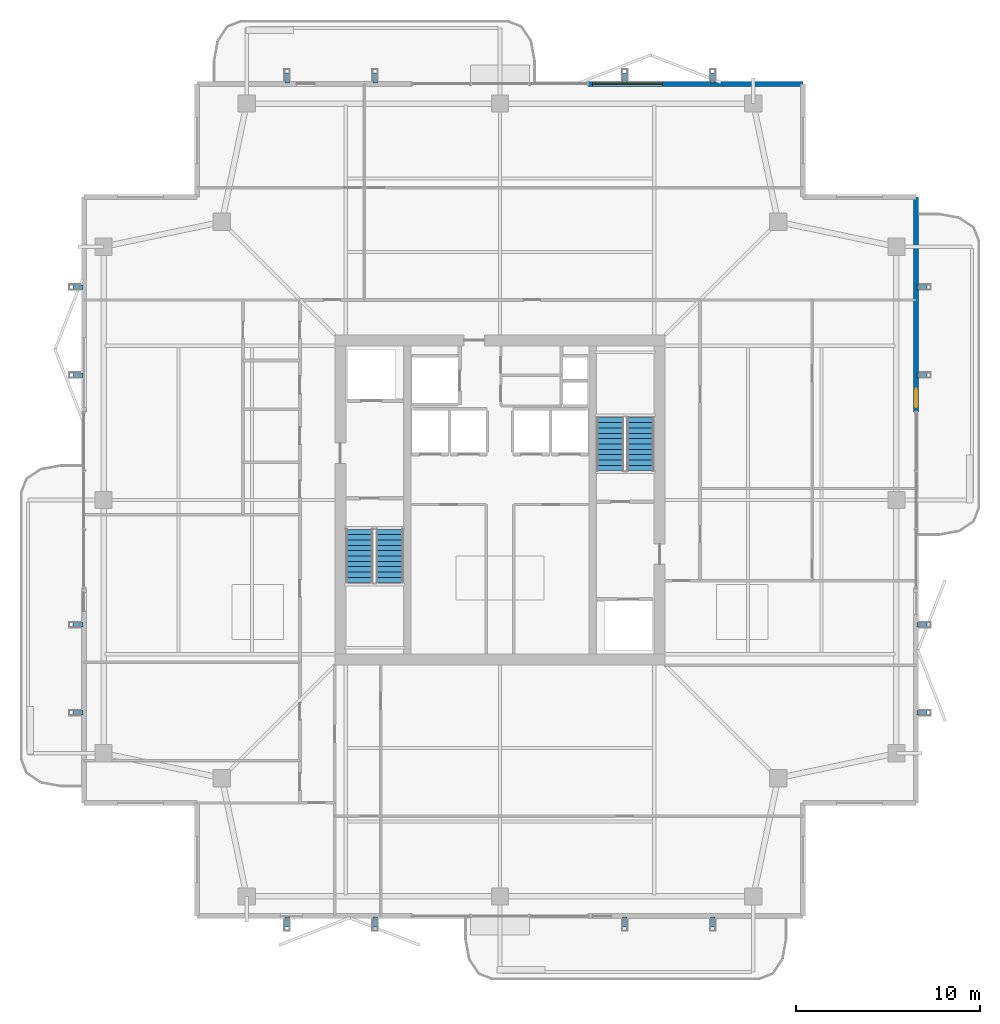
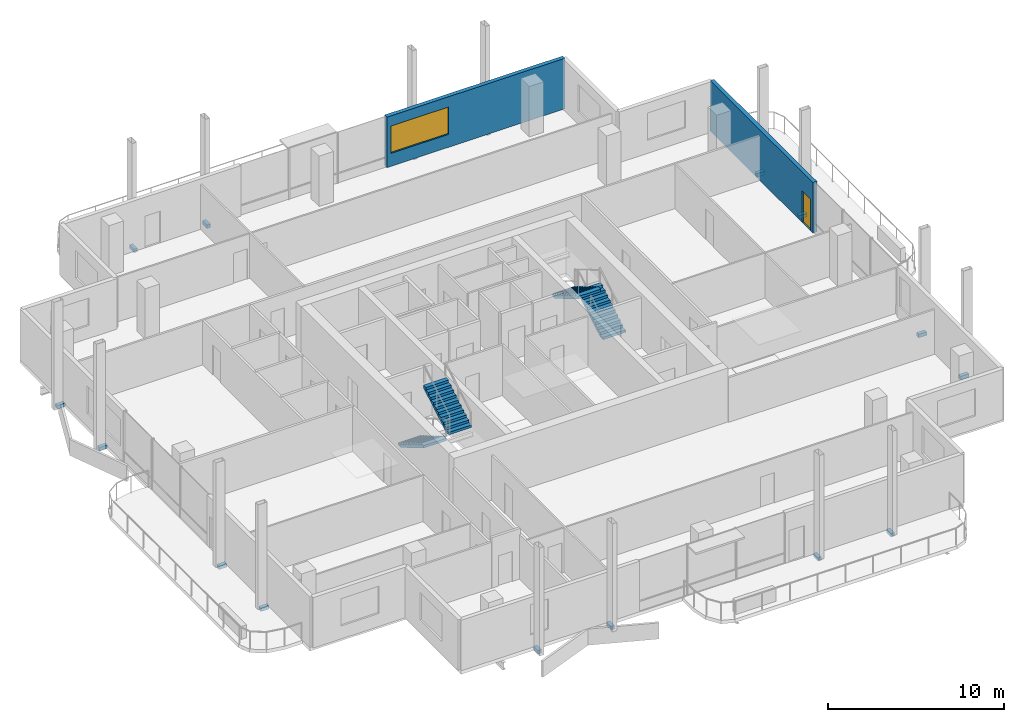
# One storey, part 17 of 20: 16 discrete accessories, 4 stair flights, 2 walls, 1 door, 1 window, 2 openings, 2 elements without a shape of their own.
"""IFC4 building model written with IfcOpenShell, lengths in metres."""

import ifcopenshell
import ifcopenshell.guid

model = None  # the IFC model being written
_history = None  # IfcOwnerHistory: only IFC2X3 demands one
_inside = {}  # id of a spatial element -> (the spatial element, [elements in it])
_under = {}  # id of a project, library or spatial element -> (it, [spatial elements below it])
_declared = {}  # id of a project -> (the project, [libraries it declares])
_typed = {}  # id of a type object -> (the type object, [elements of that type])
_made_of = {}  # id of a material, layer set ... -> (it, [elements and type objects made of it])


def new_model(schema):
    """Start an empty IFC model of exactly this schema.

    Asked for "IFC4X3", IfcOpenShell would pick the latest addendum, in which some entities
    have other attributes; the version numbers below select the first issue.
    IFC2X3 requires an IfcOwnerHistory on every rooted entity: one is made here for all.
    """
    global model, _history
    if schema == "IFC4X3":
        model = ifcopenshell.file(schema_version=(4, 3, 0, 0))
    else:
        model = ifcopenshell.file(schema=schema)
    _inside.clear()
    _under.clear()
    _declared.clear()
    _typed.clear()
    _made_of.clear()
    _history = None
    if model.schema == "IFC2X3":
        org = make("IfcOrganization", Name="unknown")
        user = make(
            "IfcPersonAndOrganization",
            ThePerson=make("IfcPerson", FamilyName="unknown"),
            TheOrganization=org,
        )
        app = make(
            "IfcApplication",
            ApplicationDeveloper=org,
            Version="unknown",
            ApplicationFullName="unknown",
            ApplicationIdentifier="unknown",
        )
        _history = make(
            "IfcOwnerHistory",
            OwningUser=user,
            OwningApplication=app,
            ChangeAction="ADDED",
            CreationDate=0,
        )
    return model


def make(cls, **values):
    """One entity of the class cls with the attributes given. An attribute that is None is left unset."""
    return model.create_entity(
        cls, **{name: value for name, value in values.items() if value is not None}
    )


def rooted(cls, **values):
    """An entity with a GlobalId (a new one), such as an element, a storey or a relation."""
    return make(cls, GlobalId=ifcopenshell.guid.new(), OwnerHistory=_history, **values)


def si_unit(unit_type, name, prefix=None):
    """IfcSIUnit, for example si_unit("LENGTHUNIT", "METRE", prefix="MILLI")."""
    return make("IfcSIUnit", UnitType=unit_type, Prefix=prefix, Name=name)


def assignment(units):
    """IfcUnitAssignment: the units of a project."""
    return None if units is None else make("IfcUnitAssignment", Units=units)


def point(xyz):
    """IfcCartesianPoint."""
    return None if xyz is None else make("IfcCartesianPoint", Coordinates=xyz)


def direction(xyz):
    """IfcDirection."""
    return None if xyz is None else make("IfcDirection", DirectionRatios=xyz)


def frame(location, z_axis=None, x_axis=None):
    """IfcAxis2Placement3D, a coordinate frame: its origin and axes. An axis left out is left unset."""
    return make(
        "IfcAxis2Placement3D",
        Location=point(location),
        Axis=direction(z_axis),
        RefDirection=direction(x_axis),
    )


def frame_2d(location, x_axis=None):
    """IfcAxis2Placement2D, a coordinate frame in the plane: its origin and x axis."""
    return make(
        "IfcAxis2Placement2D", Location=point(location), RefDirection=direction(x_axis)
    )


def origin():
    """The frame at (0, 0, 0) with its axes left unset."""
    return frame((0.0, 0.0, 0.0))


def origin_2d():
    """The frame at (0, 0) in the plane with its x axis left unset."""
    return frame_2d((0.0, 0.0))


def place(relative_to, where):
    """IfcLocalPlacement: puts the frame where relative to a parent placement (None: the world)."""
    return make(
        "IfcLocalPlacement", PlacementRelTo=relative_to, RelativePlacement=where
    )


def context(
    kind, dimensions, precision=None, world=None, true_north=None, identifier=None
):
    """IfcGeometricRepresentationContext, for example the 3D "Model" context."""
    return make(
        "IfcGeometricRepresentationContext",
        ContextIdentifier=identifier,
        ContextType=kind,
        CoordinateSpaceDimension=dimensions,
        Precision=precision,
        WorldCoordinateSystem=world,
        TrueNorth=true_north,
    )


def subcontext(parent, identifier, kind, view, scale=None):
    """IfcGeometricRepresentationSubContext, for example "Body" below "Model"."""
    return make(
        "IfcGeometricRepresentationSubContext",
        ContextIdentifier=identifier,
        ContextType=kind,
        ParentContext=parent,
        TargetScale=scale,
        TargetView=view,
    )


def project(units=None, contexts=None):
    """IfcProject with its units and contexts."""
    return rooted(
        "IfcProject",
        Name="project",
        RepresentationContexts=contexts,
        UnitsInContext=assignment(units),
    )


def spatial(cls, under=None, at=None, **own):
    """A site, building, storey or space (cls), placed at a placement, below another one or the project."""
    s = rooted(cls, ObjectPlacement=at, **own)
    if under is not None:
        _under.setdefault(under.id(), (under, []))[1].append(s)
    return s


def polyline(points):
    """IfcPolyline through the points."""
    return make("IfcPolyline", Points=[point(p) for p in points])


def profile(cls, at=None, kind="AREA", **sizes):
    """A parametric profile (cls). Its sizes go by their IFC names, for example OverallWidth=200.0."""
    return make(cls, ProfileType=kind, Position=at, **sizes)


def rectangle(**sizes):
    """IfcRectangleProfileDef."""
    return profile("IfcRectangleProfileDef", **sizes)


def outline(outer, holes=None, kind="AREA"):
    """IfcArbitraryClosedProfileDef: a profile drawn as a closed curve; with holes, ...WithVoids."""
    if holes is None:
        return make("IfcArbitraryClosedProfileDef", ProfileType=kind, OuterCurve=outer)
    return make(
        "IfcArbitraryProfileDefWithVoids",
        ProfileType=kind,
        OuterCurve=outer,
        InnerCurves=holes,
    )


def extrude(swept, where, along, depth):
    """IfcExtrudedAreaSolid: the profile swept, set in the frame where, extruded along a direction by depth."""
    return make(
        "IfcExtrudedAreaSolid",
        SweptArea=swept,
        Position=where,
        ExtrudedDirection=direction(along),
        Depth=depth,
    )


def shape(context_of_items, identifier, shape_type, items):
    """IfcShapeRepresentation: the items that make up one representation, for example the "Body"."""
    return make(
        "IfcShapeRepresentation",
        ContextOfItems=context_of_items,
        RepresentationIdentifier=identifier,
        RepresentationType=shape_type,
        Items=items,
    )


def material(Name=None, Category=None):
    """IfcMaterial."""
    return make("IfcMaterial", Name=Name, Category=Category)


def layer(
    of_material, thickness, ventilated=None, Name=None, Category=None, Priority=None
):
    """IfcMaterialLayer: one layer of a wall or slab, of a material (None: an air gap)."""
    return make(
        "IfcMaterialLayer",
        Material=of_material,
        LayerThickness=thickness,
        IsVentilated=ventilated,
        Name=Name,
        Category=Category,
        Priority=Priority,
    )


def layer_set(layers, Name=None):
    """IfcMaterialLayerSet."""
    return make("IfcMaterialLayerSet", MaterialLayers=layers, LayerSetName=Name)


def made_of(thing, what):
    """Note that an element or type object is made of a material, layer set ...; save() writes the relation."""
    if what is not None:
        _made_of.setdefault(what.id(), (what, []))[1].append(thing)
    return thing


def type_object(cls, material=None, **own):
    """A type object (cls), such as IfcWallType, which elements share."""
    return made_of(rooted(cls, **own), material)


def element(
    cls,
    number,
    at=None,
    inside=None,
    cuts=None,
    type_object=None,
    material=None,
    context=None,
    identifier="Body",
    shape_type=None,
    held_by="IfcProductDefinitionShape",
    body=None,
    shapes=None,
    **own,
):
    """One element of the class cls, such as IfcWall. Its Tag is "e" and its number.

    at: its placement. inside: the storey or other place that contains it. cuts: it is an
    opening in that element (IfcRelVoidsElement). A single representation is given by context,
    identifier, shape_type and body (its items); several are given by shapes. held_by: the class
    of the entity that holds the representations. save() writes the other relations.
    """
    e = rooted(cls, Tag="e%d" % number, ObjectPlacement=at, **own)
    if body is not None:
        shapes = [shape(context, identifier, shape_type, body)]
    if shapes is not None:
        e.Representation = make(held_by, Representations=shapes)
    if inside is not None:
        _inside.setdefault(inside.id(), (inside, []))[1].append(e)
    if cuts is not None:
        rooted(
            "IfcRelVoidsElement", RelatingBuildingElement=cuts, RelatedOpeningElement=e
        )
    if type_object is not None:
        _typed.setdefault(type_object.id(), (type_object, []))[1].append(e)
    return made_of(e, material)


def fill(opening, filler):
    """IfcRelFillsElement: the door or window that sits in an opening."""
    return rooted(
        "IfcRelFillsElement",
        RelatingOpeningElement=opening,
        RelatedBuildingElement=filler,
    )


def aggregate(whole, parts):
    """IfcRelAggregates: a whole, such as a stair, and the parts it consists of."""
    return rooted("IfcRelAggregates", RelatingObject=whole, RelatedObjects=parts)


def save(model, path):
    """Write the relations noted so far, then the file.

    IfcRelAggregates (storeys below a building ...), IfcRelContainedInSpatialStructure (elements
    in a storey), IfcRelDefinesByType, IfcRelAssociatesMaterial and IfcRelDeclares: one each for
    every whole, place, type object, material and project.
    """
    for whole, parts in _under.values():
        aggregate(whole, parts)
    for where, things in _inside.values():
        rooted(
            "IfcRelContainedInSpatialStructure",
            RelatedElements=things,
            RelatingStructure=where,
        )
    for kind, things in _typed.values():
        rooted("IfcRelDefinesByType", RelatedObjects=things, RelatingType=kind)
    for what, things in _made_of.values():
        rooted("IfcRelAssociatesMaterial", RelatedObjects=things, RelatingMaterial=what)
    for by, libraries in _declared.values():
        rooted("IfcRelDeclares", RelatingContext=by, RelatedDefinitions=libraries)
    model.write(path)


model = new_model("IFC4")

# Units and contexts
model_context = context("Model", 3, precision=1e-05, world=origin(), true_north=direction((0.0, 1.0)))
body_context = subcontext(model_context, "Body", "Model", "MODEL_VIEW")
ifc_project = project(units=[si_unit("LENGTHUNIT", "METRE"), si_unit("AREAUNIT", "SQUARE_METRE"), si_unit("VOLUMEUNIT", "CUBIC_METRE"), si_unit("PLANEANGLEUNIT", "RADIAN"), si_unit("MASSUNIT", "GRAM", prefix="KILO")], contexts=[model_context])

# Site, building, storey
site_placement = place(None, origin())
site = spatial("IfcSite", under=ifc_project, at=site_placement, CompositionType="ELEMENT")
building_placement = place(site_placement, origin())
building = spatial("IfcBuilding", under=site, at=building_placement, Name="Belovzor Exchange Tower", CompositionType="ELEMENT")
storey_placement = place(building_placement, frame((0.0, 0.0, 306.75)))
storey = spatial("IfcBuildingStorey", under=building, at=storey_placement, Name="L76", CompositionType="ELEMENT", Elevation=306.75)

# Wall, opening, window
ifc_material_1 = material(Name="Precast concrete C40/50", Category="concrete")
ifc_layer_1 = layer(ifc_material_1, 0.260009765625)
ifc_layer_set_1 = layer_set([ifc_layer_1], Name="Precast concrete C40/50")
wall_type = type_object("IfcWallType", Name="Precast Concrete Perimeter Loggia Frame Wall 260", PredefinedType="SOLIDWALL", material=ifc_layer_set_1)
wall_1_placement = place(storey_placement, frame((33.60009765625, 51.469970703125, 0.0), z_axis=(0.0, 0.0, 1.0), x_axis=(1.0, 0.0, 0.0)))
wall_1 = element("IfcWall", 1, at=wall_1_placement, inside=storey, type_object=wall_type, Name="W-EXT260 Precast Concrete Perimeter Loggia Frame Wall 260 L76", PredefinedType="SOLIDWALL", context=body_context, shape_type="SweptSolid", body=[
    extrude(rectangle(XDim=11.699951171875, YDim=0.260009765625, at=frame_2d((5.85009765625, 0.0))), origin(), (0.0, 0.0, 1.0), 3.510009765625),
])
opening_1_placement = place(wall_1_placement, frame((0.25, 0.0, 0.89990234375)))
opening_1 = element("IfcOpeningElement", 2, at=opening_1_placement, cuts=wall_1, Name="Opening WN-RIB380", PredefinedType="OPENING", context=body_context, shape_type="SweptSolid", body=[
    extrude(rectangle(XDim=3.800048828125, YDim=1.89990234375, at=frame_2d((1.89990234375, 0.949951171875))), frame((0.0, 0.139892578125, 0.0), z_axis=(0.0, -1.0, 0.0), x_axis=(1.0, 0.0, 0.0)), (0.0, 0.0, 1.0), 0.280029296875),
])
ifc_material_2 = material(Name="Thermally Broken Aluminium and Triple Glazing", Category="aluminium")
window_type = type_object("IfcWindowType", Name="Streamline Moderne Horizontal Ribbon Window 3800x1900", PartitioningType="SINGLE_PANEL", PredefinedType="WINDOW", material=ifc_material_2)
window_placement = place(opening_1_placement, origin())
window = element("IfcWindow", 3, at=window_placement, inside=storey, type_object=window_type, Name="WN-RIB380 Streamline Moderne Horizontal Ribbon Window 3800x1900", OverallHeight=1.89990234375, OverallWidth=3.800048828125, PartitioningType="SINGLE_PANEL", PredefinedType="WINDOW", context=body_context, shape_type="SweptSolid", body=[
    extrude(rectangle(XDim=3.800048828125, YDim=1.89990234375, at=frame_2d((1.89990234375, 0.949951171875))), frame((0.0, 0.030029296875, 0.0), z_axis=(0.0, -1.0, 0.0), x_axis=(1.0, 0.0, 0.0)), (0.0, 0.0, 1.0), 0.06005859375),
])
fill(opening_1, window)

# Wall, opening, door
wall_2_placement = place(storey_placement, frame((51.469970703125, 45.300048828125, 0.0), z_axis=(0.0, 0.0, 1.0), x_axis=(0.0, -1.0, 0.0)))
wall_2 = element("IfcWall", 4, at=wall_2_placement, inside=storey, type_object=wall_type, Name="W-EXT260 Precast Concrete Perimeter Loggia Frame Wall 260 L76", PredefinedType="SOLIDWALL", context=body_context, shape_type="SweptSolid", body=[
    extrude(rectangle(XDim=11.699951171875, YDim=0.260009765625, at=frame_2d((5.85009765625, 0.0))), origin(), (0.0, 0.0, 1.0), 3.510009765625),
])
opening_2_placement = place(wall_2_placement, frame((10.449951171875, 0.0, 0.0)))
opening_2 = element("IfcOpeningElement", 5, at=opening_2_placement, cuts=wall_2, Name="Opening D-BAL100", PredefinedType="OPENING", context=body_context, shape_type="SweptSolid", body=[
    extrude(rectangle(XDim=1.0, YDim=2.199951171875, at=frame_2d((0.5, 1.10009765625))), frame((0.0, 0.139892578125, 0.0), z_axis=(0.0, -1.0, 0.0), x_axis=(1.0, 0.0, 0.0)), (0.0, 0.0, 1.0), 0.280029296875),
])
ifc_material_3 = material(Name="Thermally Broken Anodised Aluminium and Laminated Glass", Category="aluminium")
door_type = type_object("IfcDoorType", Name="Planted Loggia Terrace Glazed Door 1000x2200", OperationType="SINGLE_SWING_LEFT", PredefinedType="DOOR", material=ifc_material_3)
door_placement = place(opening_2_placement, origin())
door = element("IfcDoor", 6, at=door_placement, inside=storey, type_object=door_type, Name="D-BAL100 Balcony Terrace Door L76 E", OperationType="SINGLE_SWING_LEFT", OverallHeight=2.199951171875, OverallWidth=1.0, PredefinedType="DOOR", context=body_context, shape_type="SweptSolid", body=[
    extrude(rectangle(XDim=1.0, YDim=2.199951171875, at=frame_2d((0.5, 1.10009765625))), frame((0.0, 0.02490234375, 0.0), z_axis=(0.0, -1.0, 0.0), x_axis=(1.0, 0.0, 0.0)), (0.0, 0.0, 1.0), 0.050048828125),
])
fill(opening_2, door)

# Stair, stair flights
ifc_material_4 = material(Name="Concrete C40/50", Category="concrete")
stair_type = type_object("IfcStairType", Name="Reinforced Concrete Dogleg Escape Stair 1350", PredefinedType="HALF_TURN_STAIR", material=ifc_material_4)
stair_1_placement = place(storey_placement, origin())
stair_1 = element("IfcStair", 7, at=stair_1_placement, inside=storey, type_object=stair_type, Name="L76 ST-1", PredefinedType="HALF_TURN_STAIR")
ifc_material_5 = material(Name="Concrete C40/50", Category="concrete")
stair_flight_type = type_object("IfcStairFlightType", Name="Reinforced Concrete Stair Flight 1350", PredefinedType="STRAIGHT", material=ifc_material_5)
stair_flight_1_placement = place(storey_placement, frame((21.14990234375, 27.199951171875, 0.0), z_axis=(0.0, 0.0, 1.0), x_axis=(0.0, -1.0, 0.0)))
stair_flight_1 = element("IfcStairFlight", 8, at=stair_flight_1_placement, type_object=stair_flight_type, Name="ST-1 flight 1", NumberOfRisers=11, NumberOfTreads=10, PredefinedType="STRAIGHT", RiserHeight=0.170454545, TreadLength=0.29, context=body_context, shape_type="SweptSolid", body=[
    extrude(outline(polyline([(0.0, 0.0), (0.0, 0.17041015625), (0.2900390625, 0.17041015625), (0.2900390625, 0.3408203125), (0.580078125, 0.3408203125), (0.580078125, 0.511474609375), (0.8701171875, 0.511474609375), (0.8701171875, 0.681884765625), (1.159912109375, 0.681884765625), (1.159912109375, 0.852294921875), (1.449951171875, 0.852294921875), (1.449951171875, 1.022705078125), (1.739990234375, 1.022705078125), (1.739990234375, 1.193115234375), (2.030029296875, 1.193115234375), (2.030029296875, 1.363525390625), (2.320068359375, 1.363525390625), (2.320068359375, 1.5341796875), (2.610107421875, 1.5341796875), (2.610107421875, 1.70458984375), (2.89990234375, 1.70458984375), (2.89990234375, 1.875), (2.89990234375, 1.53076171875), (0.2958984375, 0.0), (0.0, 0.0)])), frame((0.0, 0.75, 0.0), z_axis=(0.0, -1.0, 0.0), x_axis=(1.0, 0.0, 0.0)), (0.0, 0.0, 1.0), 1.5),
])
stair_flight_2_placement = place(storey_placement, frame((22.800048828125, 24.300048828125, 1.875), z_axis=(0.0, 0.0, 1.0), x_axis=(0.0, 1.0, 0.0)))
stair_flight_2 = element("IfcStairFlight", 9, at=stair_flight_2_placement, type_object=stair_flight_type, Name="ST-1 flight 2", NumberOfRisers=11, NumberOfTreads=10, PredefinedType="STRAIGHT", RiserHeight=0.170454545, TreadLength=0.29, context=body_context, shape_type="SweptSolid", body=[
    extrude(outline(polyline([(0.0, 0.0), (0.0, 0.17041015625), (0.2900390625, 0.17041015625), (0.2900390625, 0.3408203125), (0.580078125, 0.3408203125), (0.580078125, 0.511474609375), (0.8701171875, 0.511474609375), (0.8701171875, 0.681884765625), (1.159912109375, 0.681884765625), (1.159912109375, 0.852294921875), (1.449951171875, 0.852294921875), (1.449951171875, 1.022705078125), (1.739990234375, 1.022705078125), (1.739990234375, 1.193115234375), (2.030029296875, 1.193115234375), (2.030029296875, 1.363525390625), (2.320068359375, 1.363525390625), (2.320068359375, 1.5341796875), (2.610107421875, 1.5341796875), (2.610107421875, 1.70458984375), (2.89990234375, 1.70458984375), (2.89990234375, 1.875), (2.89990234375, 1.53076171875), (0.2958984375, 0.0), (0.0, 0.0)])), frame((0.0, 0.75, 0.0), z_axis=(0.0, -1.0, 0.0), x_axis=(1.0, 0.0, 0.0)), (0.0, 0.0, 1.0), 1.5),
])
aggregate(stair_1, [stair_flight_1, stair_flight_2])

stair_2_placement = place(storey_placement, origin())
stair_2 = element("IfcStair", 10, at=stair_2_placement, inside=storey, type_object=stair_type, Name="L76 ST-2", PredefinedType="HALF_TURN_STAIR")
stair_flight_3_placement = place(storey_placement, frame((36.449951171875, 30.39990234375, 0.0), z_axis=(0.0, 0.0, 1.0), x_axis=(0.0, 1.0, 0.0)))
stair_flight_3 = element("IfcStairFlight", 11, at=stair_flight_3_placement, type_object=stair_flight_type, Name="ST-2 flight 1", NumberOfRisers=11, NumberOfTreads=10, PredefinedType="STRAIGHT", RiserHeight=0.170454545, TreadLength=0.29, context=body_context, shape_type="SweptSolid", body=[
    extrude(outline(polyline([(0.0, 0.0), (0.0, 0.17041015625), (0.2900390625, 0.17041015625), (0.2900390625, 0.3408203125), (0.580078125, 0.3408203125), (0.580078125, 0.511474609375), (0.8701171875, 0.511474609375), (0.8701171875, 0.681884765625), (1.159912109375, 0.681884765625), (1.159912109375, 0.852294921875), (1.449951171875, 0.852294921875), (1.449951171875, 1.022705078125), (1.739990234375, 1.022705078125), (1.739990234375, 1.193115234375), (2.030029296875, 1.193115234375), (2.030029296875, 1.363525390625), (2.320068359375, 1.363525390625), (2.320068359375, 1.5341796875), (2.610107421875, 1.5341796875), (2.610107421875, 1.70458984375), (2.89990234375, 1.70458984375), (2.89990234375, 1.875), (2.89990234375, 1.53076171875), (0.2958984375, 0.0), (0.0, 0.0)])), frame((0.0, 0.75, 0.0), z_axis=(0.0, -1.0, 0.0), x_axis=(1.0, 0.0, 0.0)), (0.0, 0.0, 1.0), 1.5),
])
stair_flight_4_placement = place(storey_placement, frame((34.800048828125, 33.300048828125, 1.875), z_axis=(0.0, 0.0, 1.0), x_axis=(0.0, -1.0, 0.0)))
stair_flight_4 = element("IfcStairFlight", 12, at=stair_flight_4_placement, type_object=stair_flight_type, Name="ST-2 flight 2", NumberOfRisers=11, NumberOfTreads=10, PredefinedType="STRAIGHT", RiserHeight=0.170454545, TreadLength=0.29, context=body_context, shape_type="SweptSolid", body=[
    extrude(outline(polyline([(0.0, 0.0), (0.0, 0.17041015625), (0.2900390625, 0.17041015625), (0.2900390625, 0.3408203125), (0.580078125, 0.3408203125), (0.580078125, 0.511474609375), (0.8701171875, 0.511474609375), (0.8701171875, 0.681884765625), (1.159912109375, 0.681884765625), (1.159912109375, 0.852294921875), (1.449951171875, 0.852294921875), (1.449951171875, 1.022705078125), (1.739990234375, 1.022705078125), (1.739990234375, 1.193115234375), (2.030029296875, 1.193115234375), (2.030029296875, 1.363525390625), (2.320068359375, 1.363525390625), (2.320068359375, 1.5341796875), (2.610107421875, 1.5341796875), (2.610107421875, 1.70458984375), (2.89990234375, 1.70458984375), (2.89990234375, 1.875), (2.89990234375, 1.53076171875), (0.2958984375, 0.0), (0.0, 0.0)])), frame((0.0, 0.75, 0.0), z_axis=(0.0, -1.0, 0.0), x_axis=(1.0, 0.0, 0.0)), (0.0, 0.0, 1.0), 1.5),
])
aggregate(stair_2, [stair_flight_3, stair_flight_4])

# Discrete accessories
ifc_material_6 = material(Name="Stainless Steel Grade 316", Category="steel")
ifc_layer_2 = layer(ifc_material_6, 0.179931640625)
ifc_layer_set_2 = layer_set([ifc_layer_2], Name="Stainless Steel Grade 316")
discrete_accessory_type = type_object("IfcDiscreteAccessoryType", Name="Stainless Steel Facade Outrigger Fixing Bracket", PredefinedType="BRACKET", material=ifc_layer_set_2)
for number, where, z_axis, x_axis, name in (
    (13, (17.199951171875, 5.81201171875, -0.240234375), (0.0, 0.0, 1.0), (0.0, 1.0, 0.0), "BRK-FIN1 Sweeping Fin Outrigger Bracket L76 S1"),
    (14, (17.199951171875, 51.7880859375, -0.240234375), (0.0, 0.0, 1.0), (0.0, 1.0, 0.0), "BRK-FIN1 Sweeping Fin Outrigger Bracket L76 N1"),
    (15, (5.81201171875, 17.199951171875, -0.240234375), (0.0, 0.0, 1.0), (1.0, 0.0, 0.0), "BRK-FIN1 Sweeping Fin Outrigger Bracket L76 W1"),
    (16, (51.7880859375, 17.199951171875, -0.240234375), (0.0, 0.0, 1.0), (1.0, 0.0, 0.0), "BRK-FIN1 Sweeping Fin Outrigger Bracket L76 E1"),
    (17, (22.0, 5.81201171875, -0.240234375), (0.0, 0.0, 1.0), (0.0, 1.0, 0.0), "BRK-FIN1 Sweeping Fin Outrigger Bracket L76 S2"),
    (18, (22.0, 51.7880859375, -0.240234375), (0.0, 0.0, 1.0), (0.0, 1.0, 0.0), "BRK-FIN1 Sweeping Fin Outrigger Bracket L76 N2"),
    (19, (5.81201171875, 22.0, -0.240234375), (0.0, 0.0, 1.0), (1.0, 0.0, 0.0), "BRK-FIN1 Sweeping Fin Outrigger Bracket L76 W2"),
    (20, (51.7880859375, 22.0, -0.240234375), (0.0, 0.0, 1.0), (1.0, 0.0, 0.0), "BRK-FIN1 Sweeping Fin Outrigger Bracket L76 E2"),
    (21, (35.60009765625, 5.81201171875, -0.240234375), (0.0, 0.0, 1.0), (0.0, 1.0, 0.0), "BRK-FIN1 Sweeping Fin Outrigger Bracket L76 S3"),
    (22, (35.60009765625, 51.7880859375, -0.240234375), (0.0, 0.0, 1.0), (0.0, 1.0, 0.0), "BRK-FIN1 Sweeping Fin Outrigger Bracket L76 N3"),
    (23, (5.81201171875, 35.60009765625, -0.240234375), (0.0, 0.0, 1.0), (1.0, 0.0, 0.0), "BRK-FIN1 Sweeping Fin Outrigger Bracket L76 W3"),
    (24, (51.7880859375, 35.60009765625, -0.240234375), (0.0, 0.0, 1.0), (1.0, 0.0, 0.0), "BRK-FIN1 Sweeping Fin Outrigger Bracket L76 E3"),
    (25, (40.39990234375, 5.81201171875, -0.240234375), (0.0, 0.0, 1.0), (0.0, 1.0, 0.0), "BRK-FIN1 Sweeping Fin Outrigger Bracket L76 S4"),
    (26, (40.39990234375, 51.7880859375, -0.240234375), (0.0, 0.0, 1.0), (0.0, 1.0, 0.0), "BRK-FIN1 Sweeping Fin Outrigger Bracket L76 N4"),
    (27, (5.81201171875, 40.39990234375, -0.240234375), (0.0, 0.0, 1.0), (1.0, 0.0, 0.0), "BRK-FIN1 Sweeping Fin Outrigger Bracket L76 W4"),
    (28, (51.7880859375, 40.39990234375, -0.240234375), (0.0, 0.0, 1.0), (1.0, 0.0, 0.0), "BRK-FIN1 Sweeping Fin Outrigger Bracket L76 E4"),
):
    element("IfcDiscreteAccessory", number, at=place(storey_placement, frame(where, z_axis=z_axis, x_axis=x_axis)), inside=storey, type_object=discrete_accessory_type, Name=name, PredefinedType="BRACKET", context=body_context, shape_type="SweptSolid", body=[
        extrude(rectangle(XDim=0.534912109375, YDim=0.239990234375, at=origin_2d()), origin(), (0.0, 0.0, 1.0), 0.239990234375),
    ])

save(model, "model.ifc")
